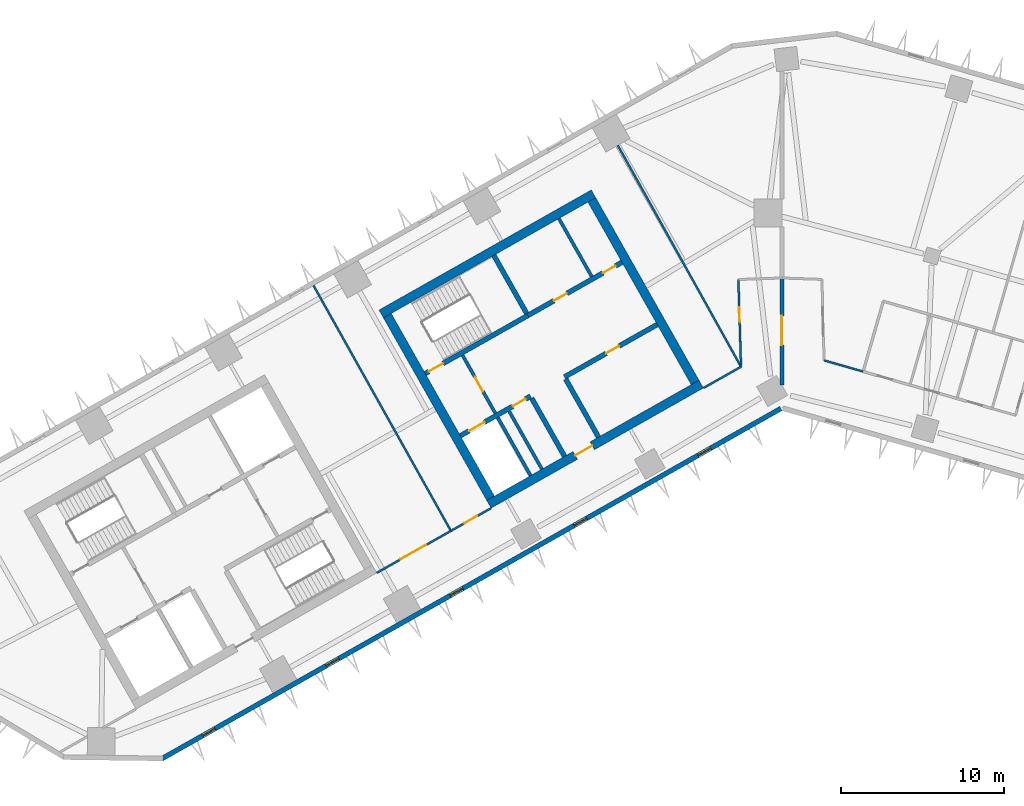
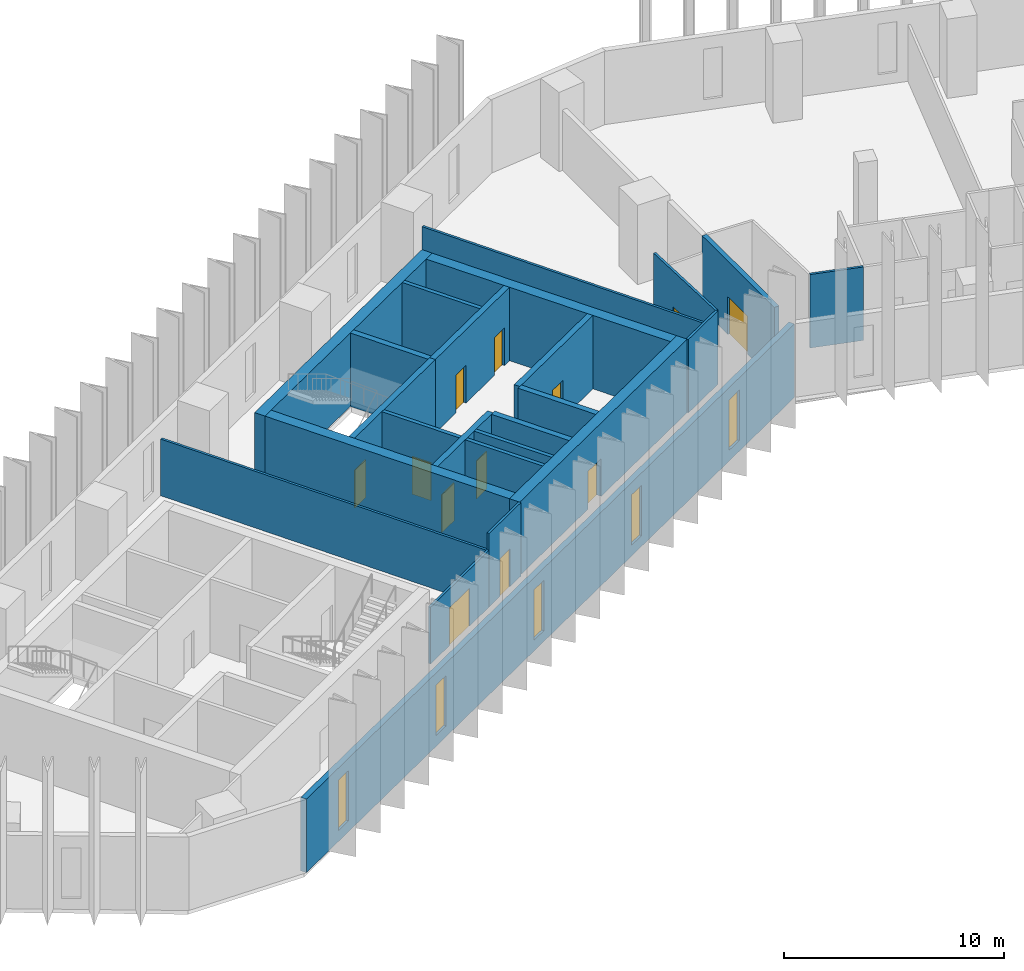
# One storey, part 4 of 11: 24 walls, 12 doors, 5 windows, 17 openings.
"""IFC4 building model written with IfcOpenShell, lengths in metres."""

import ifcopenshell
import ifcopenshell.guid

model = None  # the IFC model being written
_history = None  # IfcOwnerHistory: only IFC2X3 demands one
_inside = {}  # id of a spatial element -> (the spatial element, [elements in it])
_under = {}  # id of a project, library or spatial element -> (it, [spatial elements below it])
_declared = {}  # id of a project -> (the project, [libraries it declares])
_typed = {}  # id of a type object -> (the type object, [elements of that type])
_made_of = {}  # id of a material, layer set ... -> (it, [elements and type objects made of it])


def new_model(schema):
    """Start an empty IFC model of exactly this schema.

    Asked for "IFC4X3", IfcOpenShell would pick the latest addendum, in which some entities
    have other attributes; the version numbers below select the first issue.
    IFC2X3 requires an IfcOwnerHistory on every rooted entity: one is made here for all.
    """
    global model, _history
    if schema == "IFC4X3":
        model = ifcopenshell.file(schema_version=(4, 3, 0, 0))
    else:
        model = ifcopenshell.file(schema=schema)
    _inside.clear()
    _under.clear()
    _declared.clear()
    _typed.clear()
    _made_of.clear()
    _history = None
    if model.schema == "IFC2X3":
        org = make("IfcOrganization", Name="unknown")
        user = make(
            "IfcPersonAndOrganization",
            ThePerson=make("IfcPerson", FamilyName="unknown"),
            TheOrganization=org,
        )
        app = make(
            "IfcApplication",
            ApplicationDeveloper=org,
            Version="unknown",
            ApplicationFullName="unknown",
            ApplicationIdentifier="unknown",
        )
        _history = make(
            "IfcOwnerHistory",
            OwningUser=user,
            OwningApplication=app,
            ChangeAction="ADDED",
            CreationDate=0,
        )
    return model


def make(cls, **values):
    """One entity of the class cls with the attributes given. An attribute that is None is left unset."""
    return model.create_entity(
        cls, **{name: value for name, value in values.items() if value is not None}
    )


def rooted(cls, **values):
    """An entity with a GlobalId (a new one), such as an element, a storey or a relation."""
    return make(cls, GlobalId=ifcopenshell.guid.new(), OwnerHistory=_history, **values)


def si_unit(unit_type, name, prefix=None):
    """IfcSIUnit, for example si_unit("LENGTHUNIT", "METRE", prefix="MILLI")."""
    return make("IfcSIUnit", UnitType=unit_type, Prefix=prefix, Name=name)


def assignment(units):
    """IfcUnitAssignment: the units of a project."""
    return None if units is None else make("IfcUnitAssignment", Units=units)


def point(xyz):
    """IfcCartesianPoint."""
    return None if xyz is None else make("IfcCartesianPoint", Coordinates=xyz)


def direction(xyz):
    """IfcDirection."""
    return None if xyz is None else make("IfcDirection", DirectionRatios=xyz)


def frame(location, z_axis=None, x_axis=None):
    """IfcAxis2Placement3D, a coordinate frame: its origin and axes. An axis left out is left unset."""
    return make(
        "IfcAxis2Placement3D",
        Location=point(location),
        Axis=direction(z_axis),
        RefDirection=direction(x_axis),
    )


def frame_2d(location, x_axis=None):
    """IfcAxis2Placement2D, a coordinate frame in the plane: its origin and x axis."""
    return make(
        "IfcAxis2Placement2D", Location=point(location), RefDirection=direction(x_axis)
    )


def origin():
    """The frame at (0, 0, 0) with its axes left unset."""
    return frame((0.0, 0.0, 0.0))


def place(relative_to, where):
    """IfcLocalPlacement: puts the frame where relative to a parent placement (None: the world)."""
    return make(
        "IfcLocalPlacement", PlacementRelTo=relative_to, RelativePlacement=where
    )


def context(
    kind, dimensions, precision=None, world=None, true_north=None, identifier=None
):
    """IfcGeometricRepresentationContext, for example the 3D "Model" context."""
    return make(
        "IfcGeometricRepresentationContext",
        ContextIdentifier=identifier,
        ContextType=kind,
        CoordinateSpaceDimension=dimensions,
        Precision=precision,
        WorldCoordinateSystem=world,
        TrueNorth=true_north,
    )


def subcontext(parent, identifier, kind, view, scale=None):
    """IfcGeometricRepresentationSubContext, for example "Body" below "Model"."""
    return make(
        "IfcGeometricRepresentationSubContext",
        ContextIdentifier=identifier,
        ContextType=kind,
        ParentContext=parent,
        TargetScale=scale,
        TargetView=view,
    )


def project(units=None, contexts=None):
    """IfcProject with its units and contexts."""
    return rooted(
        "IfcProject",
        Name="project",
        RepresentationContexts=contexts,
        UnitsInContext=assignment(units),
    )


def spatial(cls, under=None, at=None, **own):
    """A site, building, storey or space (cls), placed at a placement, below another one or the project."""
    s = rooted(cls, ObjectPlacement=at, **own)
    if under is not None:
        _under.setdefault(under.id(), (under, []))[1].append(s)
    return s


def profile(cls, at=None, kind="AREA", **sizes):
    """A parametric profile (cls). Its sizes go by their IFC names, for example OverallWidth=200.0."""
    return make(cls, ProfileType=kind, Position=at, **sizes)


def rectangle(**sizes):
    """IfcRectangleProfileDef."""
    return profile("IfcRectangleProfileDef", **sizes)


def extrude(swept, where, along, depth):
    """IfcExtrudedAreaSolid: the profile swept, set in the frame where, extruded along a direction by depth."""
    return make(
        "IfcExtrudedAreaSolid",
        SweptArea=swept,
        Position=where,
        ExtrudedDirection=direction(along),
        Depth=depth,
    )


def shape(context_of_items, identifier, shape_type, items):
    """IfcShapeRepresentation: the items that make up one representation, for example the "Body"."""
    return make(
        "IfcShapeRepresentation",
        ContextOfItems=context_of_items,
        RepresentationIdentifier=identifier,
        RepresentationType=shape_type,
        Items=items,
    )


def material(Name=None, Category=None):
    """IfcMaterial."""
    return make("IfcMaterial", Name=Name, Category=Category)


def layer(
    of_material, thickness, ventilated=None, Name=None, Category=None, Priority=None
):
    """IfcMaterialLayer: one layer of a wall or slab, of a material (None: an air gap)."""
    return make(
        "IfcMaterialLayer",
        Material=of_material,
        LayerThickness=thickness,
        IsVentilated=ventilated,
        Name=Name,
        Category=Category,
        Priority=Priority,
    )


def layer_set(layers, Name=None):
    """IfcMaterialLayerSet."""
    return make("IfcMaterialLayerSet", MaterialLayers=layers, LayerSetName=Name)


def made_of(thing, what):
    """Note that an element or type object is made of a material, layer set ...; save() writes the relation."""
    if what is not None:
        _made_of.setdefault(what.id(), (what, []))[1].append(thing)
    return thing


def type_object(cls, material=None, **own):
    """A type object (cls), such as IfcWallType, which elements share."""
    return made_of(rooted(cls, **own), material)


def element(
    cls,
    number,
    at=None,
    inside=None,
    cuts=None,
    type_object=None,
    material=None,
    context=None,
    identifier="Body",
    shape_type=None,
    held_by="IfcProductDefinitionShape",
    body=None,
    shapes=None,
    **own,
):
    """One element of the class cls, such as IfcWall. Its Tag is "e" and its number.

    at: its placement. inside: the storey or other place that contains it. cuts: it is an
    opening in that element (IfcRelVoidsElement). A single representation is given by context,
    identifier, shape_type and body (its items); several are given by shapes. held_by: the class
    of the entity that holds the representations. save() writes the other relations.
    """
    e = rooted(cls, Tag="e%d" % number, ObjectPlacement=at, **own)
    if body is not None:
        shapes = [shape(context, identifier, shape_type, body)]
    if shapes is not None:
        e.Representation = make(held_by, Representations=shapes)
    if inside is not None:
        _inside.setdefault(inside.id(), (inside, []))[1].append(e)
    if cuts is not None:
        rooted(
            "IfcRelVoidsElement", RelatingBuildingElement=cuts, RelatedOpeningElement=e
        )
    if type_object is not None:
        _typed.setdefault(type_object.id(), (type_object, []))[1].append(e)
    return made_of(e, material)


def fill(opening, filler):
    """IfcRelFillsElement: the door or window that sits in an opening."""
    return rooted(
        "IfcRelFillsElement",
        RelatingOpeningElement=opening,
        RelatedBuildingElement=filler,
    )


def aggregate(whole, parts):
    """IfcRelAggregates: a whole, such as a stair, and the parts it consists of."""
    return rooted("IfcRelAggregates", RelatingObject=whole, RelatedObjects=parts)


def save(model, path):
    """Write the relations noted so far, then the file.

    IfcRelAggregates (storeys below a building ...), IfcRelContainedInSpatialStructure (elements
    in a storey), IfcRelDefinesByType, IfcRelAssociatesMaterial and IfcRelDeclares: one each for
    every whole, place, type object, material and project.
    """
    for whole, parts in _under.values():
        aggregate(whole, parts)
    for where, things in _inside.values():
        rooted(
            "IfcRelContainedInSpatialStructure",
            RelatedElements=things,
            RelatingStructure=where,
        )
    for kind, things in _typed.values():
        rooted("IfcRelDefinesByType", RelatedObjects=things, RelatingType=kind)
    for what, things in _made_of.values():
        rooted("IfcRelAssociatesMaterial", RelatedObjects=things, RelatingMaterial=what)
    for by, libraries in _declared.values():
        rooted("IfcRelDeclares", RelatingContext=by, RelatedDefinitions=libraries)
    model.write(path)


model = new_model("IFC4")

# Units and contexts
model_context = context("Model", 3, precision=1e-05, world=origin(), true_north=direction((0.0, 1.0)))
body_context = subcontext(model_context, "Body", "Model", "MODEL_VIEW")
ifc_project = project(units=[si_unit("LENGTHUNIT", "METRE"), si_unit("AREAUNIT", "SQUARE_METRE"), si_unit("VOLUMEUNIT", "CUBIC_METRE"), si_unit("PLANEANGLEUNIT", "RADIAN"), si_unit("MASSUNIT", "GRAM", prefix="KILO")], contexts=[model_context])

# Site, building, storey
site_placement = place(None, origin())
site = spatial("IfcSite", under=ifc_project, at=site_placement, CompositionType="ELEMENT")
building_placement = place(site_placement, origin())
building = spatial("IfcBuilding", under=site, at=building_placement, Name="Binnacle Exchange Tower", CompositionType="ELEMENT")
storey_placement = place(building_placement, frame((0.0, 0.0, 97.10009765625)))
storey = spatial("IfcBuildingStorey", under=building, at=storey_placement, Name="L19", CompositionType="ELEMENT", Elevation=97.10009765625)

# Wall
ifc_material_1 = material(Name="Gypsum partition fire rated")
ifc_layer_1 = layer(ifc_material_1, 0.199951171875)
ifc_layer_set_1 = layer_set([ifc_layer_1], Name="Core partition 200")
wall_type_1 = type_object("IfcWallType", Name="Core partition 200", PredefinedType="PARTITIONING", material=ifc_layer_set_1)
wall_1_placement = place(storey_placement, frame((-13.70751953125, 59.655517578125, 0.0), z_axis=(0.0, 0.0, 1.0), x_axis=(0.492428039142, -0.870353161807, 0.0)))
element("IfcWall", 1, at=wall_1_placement, inside=storey, type_object=wall_type_1, Name="Core wall CRWC20", PredefinedType="PARTITIONING", context=body_context, shape_type="SweptSolid", body=[
    extrude(rectangle(XDim=4.10009765625, YDim=0.199951171875, at=frame_2d((2.050048828125, 0.0))), origin(), (0.0, 0.0, 1.0), 4.079833984375),
])

# Wall, openings, doors
ifc_material_2 = material(Name="Concrete C70/85", Category="concrete")
ifc_layer_2 = layer(ifc_material_2, 0.300048828125)
ifc_layer_set_2 = layer_set([ifc_layer_2], Name="Core wall - front 300")
wall_type_2 = type_object("IfcWallType", Name="Core wall - front 300", PredefinedType="SOLIDWALL", material=ifc_layer_set_2)
wall_2_placement = place(storey_placement, frame((-19.76171875, 46.291748046875, 0.0), z_axis=(0.0, 0.0, 1.0), x_axis=(0.870359758983, 0.49241637863, 0.0)))
wall_2 = element("IfcWall", 2, at=wall_2_placement, inside=storey, type_object=wall_type_2, Name="Core wall CRWC2", PredefinedType="SOLIDWALL", context=body_context, shape_type="SweptSolid", body=[
    extrude(rectangle(XDim=4.9501953125, YDim=0.300048828125, at=frame_2d((2.47509765625, 0.0))), origin(), (0.0, 0.0, 1.0), 4.079833984375),
])
opening_1_placement = place(wall_2_placement, frame((0.60009765625, 0.0, 0.0)))
opening_1 = element("IfcOpeningElement", 3, at=opening_1_placement, cuts=wall_2, Name="Opening LD14", PredefinedType="OPENING", context=body_context, shape_type="SweptSolid", body=[
    extrude(rectangle(XDim=1.10009765625, YDim=2.10009765625, at=frame_2d((0.550048828125, 1.050048828125))), frame((0.0, 0.159912109375, 0.0), z_axis=(0.0, -1.0, 0.0), x_axis=(1.0, 0.0, 0.0)), (0.0, 0.0, 1.0), 0.320068359375),
])
opening_2_placement = place(wall_2_placement, frame((3.699951171875, 0.0, 0.0)))
opening_2 = element("IfcOpeningElement", 4, at=opening_2_placement, cuts=wall_2, Name="Opening DC14", PredefinedType="OPENING", context=body_context, shape_type="SweptSolid", body=[
    extrude(rectangle(XDim=0.89990234375, YDim=2.10009765625, at=frame_2d((0.449951171875, 1.050048828125))), frame((0.0, 0.159912109375, 0.0), z_axis=(0.0, -1.0, 0.0), x_axis=(1.0, 0.0, 0.0)), (0.0, 0.0, 1.0), 0.320068359375),
])
ifc_material_3 = material(Name="Steel door leaf", Category="steel")
door_type_1 = type_object("IfcDoorType", Name="Fire door - lift landing 1100", OperationType="NOTDEFINED", PredefinedType="DOOR", material=ifc_material_3)
door_1_placement = place(opening_1_placement, origin())
door_1 = element("IfcDoor", 5, at=door_1_placement, inside=storey, type_object=door_type_1, Name="Landing door LD14 L19", OperationType="DOUBLE_DOOR_SLIDING", OverallHeight=2.10009765625, OverallWidth=1.10009765625, PredefinedType="DOOR", context=body_context, shape_type="SweptSolid", body=[
    extrude(rectangle(XDim=1.10009765625, YDim=2.10009765625, at=frame_2d((0.550048828125, 1.050048828125))), frame((0.0, 0.02490234375, 0.0), z_axis=(0.0, -1.0, 0.0), x_axis=(1.0, 0.0, 0.0)), (0.0, 0.0, 1.0), 0.050048828125),
])
fill(opening_1, door_1)
door_type_2 = type_object("IfcDoorType", Name="Fire door 900", OperationType="NOTDEFINED", PredefinedType="DOOR", material=ifc_material_3)
door_2_placement = place(opening_2_placement, frame((0.89990234375, 0.0, 0.0), z_axis=(0.0, 0.0, 1.0), x_axis=(-1.0, 0.0, 0.0)))
door_2 = element("IfcDoor", 6, at=door_2_placement, inside=storey, type_object=door_type_2, Name="Core room door IT STORE", OperationType="SINGLE_SWING_LEFT", OverallHeight=2.10009765625, OverallWidth=0.89990234375, PredefinedType="DOOR", context=body_context, shape_type="SweptSolid", body=[
    extrude(rectangle(XDim=0.89990234375, YDim=2.10009765625, at=frame_2d((0.449951171875, 1.050048828125))), frame((0.0, 0.02490234375, 0.0), z_axis=(0.0, -1.0, 0.0), x_axis=(1.0, 0.0, 0.0)), (0.0, 0.0, 1.0), 0.050048828125),
])
fill(opening_2, door_2)

# Wall, opening, door
wall_3_placement = place(storey_placement, frame((-13.364501953125, 49.910888671875, 0.0), z_axis=(0.0, 0.0, 1.0), x_axis=(0.870336435567, 0.492457601144, 0.0)))
wall_3 = element("IfcWall", 7, at=wall_3_placement, inside=storey, type_object=wall_type_2, Name="Core wall CRWC3", PredefinedType="SOLIDWALL", context=body_context, shape_type="SweptSolid", body=[
    extrude(rectangle(XDim=6.550048828125, YDim=0.300048828125, at=frame_2d((3.27490234375, 0.0))), origin(), (0.0, 0.0, 1.0), 4.079833984375),
])
opening_3_placement = place(wall_3_placement, frame((2.949951171875, 0.0, 0.0)))
opening_3 = element("IfcOpeningElement", 8, at=opening_3_placement, cuts=wall_3, Name="Opening DC18", PredefinedType="OPENING", context=body_context, shape_type="SweptSolid", body=[
    extrude(rectangle(XDim=0.89990234375, YDim=2.10009765625, at=frame_2d((0.449951171875, 1.050048828125))), frame((0.0, 0.159912109375, 0.0), z_axis=(0.0, -1.0, 0.0), x_axis=(1.0, 0.0, 0.0)), (0.0, 0.0, 1.0), 0.320068359375),
])
door_3_placement = place(opening_3_placement, frame((0.89990234375, 0.0, 0.0), z_axis=(0.0, 0.0, 1.0), x_axis=(-1.0, 0.0, 0.0)))
door_3 = element("IfcDoor", 9, at=door_3_placement, inside=storey, type_object=door_type_2, Name="Core room door STAFF PANTRY AND STORE", OperationType="SINGLE_SWING_LEFT", OverallHeight=2.10009765625, OverallWidth=0.89990234375, PredefinedType="DOOR", context=body_context, shape_type="SweptSolid", body=[
    extrude(rectangle(XDim=0.89990234375, YDim=2.10009765625, at=frame_2d((0.449951171875, 1.050048828125))), frame((0.0, 0.02490234375, 0.0), z_axis=(0.0, -1.0, 0.0), x_axis=(1.0, 0.0, 0.0)), (0.0, 0.0, 1.0), 0.050048828125),
])
fill(opening_3, door_3)

# Wall, openings, doors
wall_4_placement = place(storey_placement, frame((-15.6181640625, 53.69140625, 0.0), z_axis=(0.0, 0.0, 1.0), x_axis=(0.870367894134, 0.492401999246, 0.0)))
wall_4 = element("IfcWall", 10, at=wall_4_placement, inside=storey, type_object=wall_type_2, Name="Core wall CRWC5", PredefinedType="SOLIDWALL", context=body_context, shape_type="SweptSolid", body=[
    extrude(rectangle(XDim=6.64990234375, YDim=0.300048828125, at=frame_2d((3.324951171875, 0.0))), origin(), (0.0, 0.0, 1.0), 4.079833984375),
])
opening_4_placement = place(wall_4_placement, frame((1.85009765625, 0.0, 0.0)))
opening_4 = element("IfcOpeningElement", 11, at=opening_4_placement, cuts=wall_4, Name="Opening DC10", PredefinedType="OPENING", context=body_context, shape_type="SweptSolid", body=[
    extrude(rectangle(XDim=0.89990234375, YDim=2.10009765625, at=frame_2d((0.449951171875, 1.050048828125))), frame((0.0, 0.159912109375, 0.0), z_axis=(0.0, -1.0, 0.0), x_axis=(1.0, 0.0, 0.0)), (0.0, 0.0, 1.0), 0.320068359375),
])
opening_5_placement = place(wall_4_placement, frame((5.300048828125, 0.0, 0.0)))
opening_5 = element("IfcOpeningElement", 12, at=opening_5_placement, cuts=wall_4, Name="Opening DC11", PredefinedType="OPENING", context=body_context, shape_type="SweptSolid", body=[
    extrude(rectangle(XDim=0.89990234375, YDim=2.10009765625, at=frame_2d((0.449951171875, 1.050048828125))), frame((0.0, 0.159912109375, 0.0), z_axis=(0.0, -1.0, 0.0), x_axis=(1.0, 0.0, 0.0)), (0.0, 0.0, 1.0), 0.320068359375),
])
door_4_placement = place(opening_4_placement, origin())
door_4 = element("IfcDoor", 13, at=door_4_placement, inside=storey, type_object=door_type_2, Name="Core room door TELECOM RISER ROOM", OperationType="SINGLE_SWING_LEFT", OverallHeight=2.10009765625, OverallWidth=0.89990234375, PredefinedType="DOOR", context=body_context, shape_type="SweptSolid", body=[
    extrude(rectangle(XDim=0.89990234375, YDim=2.10009765625, at=frame_2d((0.449951171875, 1.050048828125))), frame((0.0, 0.02490234375, 0.0), z_axis=(0.0, -1.0, 0.0), x_axis=(1.0, 0.0, 0.0)), (0.0, 0.0, 1.0), 0.050048828125),
])
fill(opening_4, door_4)
door_5_placement = place(opening_5_placement, origin())
door_5 = element("IfcDoor", 14, at=door_5_placement, inside=storey, type_object=door_type_2, Name="Core room door IT STORE", OperationType="SINGLE_SWING_RIGHT", OverallHeight=2.10009765625, OverallWidth=0.89990234375, PredefinedType="DOOR", context=body_context, shape_type="SweptSolid", body=[
    extrude(rectangle(XDim=0.89990234375, YDim=2.10009765625, at=frame_2d((0.449951171875, 1.050048828125))), frame((0.0, 0.02490234375, 0.0), z_axis=(0.0, -1.0, 0.0), x_axis=(1.0, 0.0, 0.0)), (0.0, 0.0, 1.0), 0.050048828125),
])
fill(opening_5, door_5)

# Walls
wall_5_placement = place(storey_placement, frame((-15.37939453125, 48.5986328125, 0.0), z_axis=(0.0, 0.0, 1.0), x_axis=(0.492408451753, -0.87036424366, 0.0)))
element("IfcWall", 15, at=wall_5_placement, inside=storey, type_object=wall_type_2, Name="Core wall CRWC13", PredefinedType="SOLIDWALL", context=body_context, shape_type="SweptSolid", body=[
    extrude(rectangle(XDim=4.099853515625, YDim=0.300048828125, at=frame_2d((2.0498046875, 0.0))), origin(), (0.0, 0.0, 1.0), 4.079833984375),
])
wall_6_placement = place(storey_placement, frame((-13.29052734375, 49.780517578125, 0.0), z_axis=(0.0, 0.0, 1.0), x_axis=(0.492382931784, -0.870378681085, 0.0)))
element("IfcWall", 16, at=wall_6_placement, inside=storey, type_object=wall_type_2, Name="Core wall CRWC15", PredefinedType="SOLIDWALL", context=body_context, shape_type="SweptSolid", body=[
    extrude(rectangle(XDim=4.10009765625, YDim=0.300048828125, at=frame_2d((2.050048828125, 0.0))), origin(), (0.0, 0.0, 1.0), 4.079833984375),
])

# Wall, opening, door
ifc_layer_3 = layer(ifc_material_2, 0.550048828125)
ifc_layer_set_3 = layer_set([ifc_layer_3], Name="Core wall - outer 550")
wall_type_3 = type_object("IfcWallType", Name="Core wall - outer 550", PredefinedType="SOLIDWALL", material=ifc_layer_set_3)
wall_7_placement = place(storey_placement, frame((-18.01220703125, 42.08251953125, 0.0), z_axis=(0.0, 0.0, 1.0), x_axis=(0.870360574057, 0.492414937962, 0.0)))
wall_7 = element("IfcWall", 17, at=wall_7_placement, inside=storey, type_object=wall_type_3, Name="Core wall CRWC1", PredefinedType="SOLIDWALL", context=body_context, shape_type="SweptSolid", body=[
    extrude(rectangle(XDim=15.0, YDim=0.550048828125, at=frame_2d((7.5, 0.0))), origin(), (0.0, 0.0, 1.0), 4.079833984375),
])
opening_6_placement = place(wall_7_placement, frame((6.10009765625, 0.0, 0.0)))
opening_6 = element("IfcOpeningElement", 18, at=opening_6_placement, cuts=wall_7, Name="Opening DC7", PredefinedType="OPENING", context=body_context, shape_type="SweptSolid", body=[
    extrude(rectangle(XDim=1.199951171875, YDim=2.10009765625, at=frame_2d((0.60009765625, 1.050048828125))), frame((0.0, 0.284912109375, 0.0), z_axis=(0.0, -1.0, 0.0), x_axis=(1.0, 0.0, 0.0)), (0.0, 0.0, 1.0), 0.570068359375),
])
door_type_3 = type_object("IfcDoorType", Name="Fire door 1200", OperationType="NOTDEFINED", PredefinedType="DOOR", material=ifc_material_3)
door_6_placement = place(opening_6_placement, frame((1.199951171875, 0.0, 0.0), z_axis=(0.0, 0.0, 1.0), x_axis=(-1.0, 0.0, 0.0)))
door_6 = element("IfcDoor", 19, at=door_6_placement, inside=storey, type_object=door_type_3, Name="Lift lobby entrance door core C", OperationType="SINGLE_SWING_RIGHT", OverallHeight=2.10009765625, OverallWidth=1.199951171875, PredefinedType="DOOR", context=body_context, shape_type="SweptSolid", body=[
    extrude(rectangle(XDim=1.199951171875, YDim=2.10009765625, at=frame_2d((0.60009765625, 1.050048828125))), frame((0.0, 0.02490234375, 0.0), z_axis=(0.0, -1.0, 0.0), x_axis=(1.0, 0.0, 0.0)), (0.0, 0.0, 1.0), 0.050048828125),
])
fill(opening_6, door_6)

# Walls
wall_8_placement = place(storey_placement, frame((-24.63525390625, 53.788818359375, 0.0), z_axis=(0.0, 0.0, 1.0), x_axis=(0.870360574057, 0.492414937962, 0.0)))
element("IfcWall", 20, at=wall_8_placement, inside=storey, type_object=wall_type_3, Name="Core wall CRWC6", PredefinedType="SOLIDWALL", context=body_context, shape_type="SweptSolid", body=[
    extrude(rectangle(XDim=15.0, YDim=0.550048828125, at=frame_2d((7.5, 0.0))), origin(), (0.0, 0.0, 1.0), 4.079833984375),
])
for number, where, z_axis, x_axis, name in (
    (21, (-24.260498046875, 53.684814453125, 0.0), (0.0, 0.0, 1.0), (0.492427022044, -0.870353737259, 0.0), "Core wall CRWC7"),
    (22, (-11.683837890625, 60.80029296875, 0.0), (0.0, 0.0, 1.0), (0.492427022044, -0.870353737259, 0.0), "Core wall CRWC24"),
):
    element("IfcWall", number, at=place(storey_placement, frame(where, z_axis=z_axis, x_axis=x_axis)), inside=storey, type_object=wall_type_3, Name=name, PredefinedType="SOLIDWALL", context=body_context, shape_type="SweptSolid", body=[
        extrude(rectangle(XDim=12.89990234375, YDim=0.550048828125, at=frame_2d((6.449951171875, 0.0))), origin(), (0.0, 0.0, 1.0), 4.079833984375),
    ])

# Wall, opening, door
ifc_layer_4 = layer(ifc_material_2, 0.300048828125)
ifc_layer_set_4 = layer_set([ifc_layer_4], Name="Core wall - stair 300")
wall_type_4 = type_object("IfcWallType", Name="Core wall - stair 300", PredefinedType="SOLIDWALL", material=ifc_layer_set_4)
wall_9_placement = place(storey_placement, frame((-21.92822265625, 50.12109375, 0.0), z_axis=(0.0, 0.0, 1.0), x_axis=(0.870340732628, 0.49245000673, 0.0)))
wall_9 = element("IfcWall", 23, at=wall_9_placement, inside=storey, type_object=wall_type_4, Name="Core wall CRWC4", PredefinedType="SOLIDWALL", context=body_context, shape_type="SweptSolid", body=[
    extrude(rectangle(XDim=7.25, YDim=0.300048828125, at=frame_2d((3.625, 0.0))), origin(), (0.0, 0.0, 1.0), 4.079833984375),
])
opening_7_placement = place(wall_9_placement, frame((0.25, 0.0, 0.0)))
opening_7 = element("IfcOpeningElement", 24, at=opening_7_placement, cuts=wall_9, Name="Opening DC1", PredefinedType="OPENING", context=body_context, shape_type="SweptSolid", body=[
    extrude(rectangle(XDim=1.0, YDim=2.10009765625, at=frame_2d((0.5, 1.050048828125))), frame((0.0, 0.159912109375, 0.0), z_axis=(0.0, -1.0, 0.0), x_axis=(1.0, 0.0, 0.0)), (0.0, 0.0, 1.0), 0.320068359375),
])
door_type_4 = type_object("IfcDoorType", Name="Fire door 1000", OperationType="NOTDEFINED", PredefinedType="DOOR", material=ifc_material_3)
door_7_placement = place(opening_7_placement, origin())
door_7 = element("IfcDoor", 25, at=door_7_placement, inside=storey, type_object=door_type_4, Name="Stair door ST-C1", OperationType="SINGLE_SWING_LEFT", OverallHeight=2.10009765625, OverallWidth=1.0, PredefinedType="DOOR", context=body_context, shape_type="SweptSolid", body=[
    extrude(rectangle(XDim=1.0, YDim=2.10009765625, at=frame_2d((0.5, 1.050048828125))), frame((0.0, 0.02490234375, 0.0), z_axis=(0.0, -1.0, 0.0), x_axis=(1.0, 0.0, 0.0)), (0.0, 0.0, 1.0), 0.050048828125),
])
fill(opening_7, door_7)

# Wall
wall_10_placement = place(storey_placement, frame((-17.7109375, 57.390380859375, 0.0), z_axis=(0.0, 0.0, 1.0), x_axis=(0.492408451753, -0.87036424366, 0.0)))
element("IfcWall", 26, at=wall_10_placement, inside=storey, type_object=wall_type_4, Name="Core wall CRWC14", PredefinedType="SOLIDWALL", context=body_context, shape_type="SweptSolid", body=[
    extrude(rectangle(XDim=4.099853515625, YDim=0.300048828125, at=frame_2d((2.0498046875, 0.0))), origin(), (0.0, 0.0, 1.0), 4.079833984375),
])

# Wall, openings, windows
ifc_material_4 = material(Name="Bronze aluminium cladding", Category="aluminium")
ifc_layer_5 = layer(ifc_material_4, 0.300048828125)
ifc_layer_set_5 = layer_set([ifc_layer_5], Name="External wall - spandrel 300")
wall_type_5 = type_object("IfcWallType", Name="External wall - spandrel 300", PredefinedType="STANDARD", material=ifc_layer_set_5)
wall_11_placement = place(storey_placement, frame((-0.0546875, 47.968994140625, 0.0), z_axis=(0.0, 0.0, 1.0), x_axis=(-0.870355730478, -0.492423499058, 0.0)))
wall_11 = element("IfcWall", 27, at=wall_11_placement, inside=storey, type_object=wall_type_5, Name="External wall EW-F07 L19", PredefinedType="STANDARD", context=body_context, shape_type="SweptSolid", body=[
    extrude(rectangle(XDim=43.750244140625, YDim=0.300048828125, at=frame_2d((21.875, 0.0))), origin(), (0.0, 0.0, 1.0), 4.079833984375),
])
opening_8_placement = place(wall_11_placement, frame((39.976806640625, 0.0, 0.60009765625)))
opening_8 = element("IfcOpeningElement", 28, at=opening_8_placement, cuts=wall_11, Name="Opening WS2", PredefinedType="OPENING", context=body_context, shape_type="SweptSolid", body=[
    extrude(rectangle(XDim=0.89990234375, YDim=2.800048828125, at=frame_2d((0.449951171875, 1.39990234375))), frame((0.0, 0.159912109375, 0.0), z_axis=(0.0, -1.0, 0.0), x_axis=(1.0, 0.0, 0.0)), (0.0, 0.0, 1.0), 0.320068359375),
])
opening_9_placement = place(wall_11_placement, frame((31.222412109375, 0.0, 0.60009765625)))
opening_9 = element("IfcOpeningElement", 29, at=opening_9_placement, cuts=wall_11, Name="Opening WS2", PredefinedType="OPENING", context=body_context, shape_type="SweptSolid", body=[
    extrude(rectangle(XDim=0.89990234375, YDim=2.800048828125, at=frame_2d((0.449951171875, 1.39990234375))), frame((0.0, 0.159912109375, 0.0), z_axis=(0.0, -1.0, 0.0), x_axis=(1.0, 0.0, 0.0)), (0.0, 0.0, 1.0), 0.320068359375),
])
opening_10_placement = place(wall_11_placement, frame((22.4677734375, 0.0, 0.60009765625)))
opening_10 = element("IfcOpeningElement", 30, at=opening_10_placement, cuts=wall_11, Name="Opening WS2", PredefinedType="OPENING", context=body_context, shape_type="SweptSolid", body=[
    extrude(rectangle(XDim=0.89990234375, YDim=2.800048828125, at=frame_2d((0.449951171875, 1.39990234375))), frame((0.0, 0.159912109375, 0.0), z_axis=(0.0, -1.0, 0.0), x_axis=(1.0, 0.0, 0.0)), (0.0, 0.0, 1.0), 0.320068359375),
])
opening_11_placement = place(wall_11_placement, frame((13.713134765625, 0.0, 0.60009765625)))
opening_11 = element("IfcOpeningElement", 31, at=opening_11_placement, cuts=wall_11, Name="Opening WS2", PredefinedType="OPENING", context=body_context, shape_type="SweptSolid", body=[
    extrude(rectangle(XDim=0.89990234375, YDim=2.800048828125, at=frame_2d((0.449951171875, 1.39990234375))), frame((0.0, 0.159912109375, 0.0), z_axis=(0.0, -1.0, 0.0), x_axis=(1.0, 0.0, 0.0)), (0.0, 0.0, 1.0), 0.320068359375),
])
opening_12_placement = place(wall_11_placement, frame((4.958740234375, 0.0, 0.60009765625)))
opening_12 = element("IfcOpeningElement", 32, at=opening_12_placement, cuts=wall_11, Name="Opening WS2", PredefinedType="OPENING", context=body_context, shape_type="SweptSolid", body=[
    extrude(rectangle(XDim=0.89990234375, YDim=2.800048828125, at=frame_2d((0.449951171875, 1.39990234375))), frame((0.0, 0.159912109375, 0.0), z_axis=(0.0, -1.0, 0.0), x_axis=(1.0, 0.0, 0.0)), (0.0, 0.0, 1.0), 0.320068359375),
])
ifc_material_5 = material(Name="Bronze anodised aluminium frame", Category="aluminium")
window_type = type_object("IfcWindowType", Name="WS2 WINDOW 900x2800", PartitioningType="SINGLE_PANEL", PredefinedType="WINDOW", material=ifc_material_5)
window_1_placement = place(opening_8_placement, origin())
window_1 = element("IfcWindow", 33, at=window_1_placement, inside=storey, type_object=window_type, Name="Window WS2 L19", OverallHeight=2.800048828125, OverallWidth=0.89990234375, PartitioningType="SINGLE_PANEL", PredefinedType="WINDOW", context=body_context, shape_type="SweptSolid", body=[
    extrude(rectangle(XDim=0.89990234375, YDim=2.800048828125, at=frame_2d((0.449951171875, 1.39990234375))), frame((0.0, 0.030029296875, 0.0), z_axis=(0.0, -1.0, 0.0), x_axis=(1.0, 0.0, 0.0)), (0.0, 0.0, 1.0), 0.06005859375),
])
fill(opening_8, window_1)
window_2_placement = place(opening_9_placement, origin())
window_2 = element("IfcWindow", 34, at=window_2_placement, inside=storey, type_object=window_type, Name="Window WS2 L19", OverallHeight=2.800048828125, OverallWidth=0.89990234375, PartitioningType="SINGLE_PANEL", PredefinedType="WINDOW", context=body_context, shape_type="SweptSolid", body=[
    extrude(rectangle(XDim=0.89990234375, YDim=2.800048828125, at=frame_2d((0.449951171875, 1.39990234375))), frame((0.0, 0.030029296875, 0.0), z_axis=(0.0, -1.0, 0.0), x_axis=(1.0, 0.0, 0.0)), (0.0, 0.0, 1.0), 0.06005859375),
])
fill(opening_9, window_2)
window_3_placement = place(opening_10_placement, origin())
window_3 = element("IfcWindow", 35, at=window_3_placement, inside=storey, type_object=window_type, Name="Window WS2 L19", OverallHeight=2.800048828125, OverallWidth=0.89990234375, PartitioningType="SINGLE_PANEL", PredefinedType="WINDOW", context=body_context, shape_type="SweptSolid", body=[
    extrude(rectangle(XDim=0.89990234375, YDim=2.800048828125, at=frame_2d((0.449951171875, 1.39990234375))), frame((0.0, 0.030029296875, 0.0), z_axis=(0.0, -1.0, 0.0), x_axis=(1.0, 0.0, 0.0)), (0.0, 0.0, 1.0), 0.06005859375),
])
fill(opening_10, window_3)
window_4_placement = place(opening_11_placement, origin())
window_4 = element("IfcWindow", 36, at=window_4_placement, inside=storey, type_object=window_type, Name="Window WS2 L19", OverallHeight=2.800048828125, OverallWidth=0.89990234375, PartitioningType="SINGLE_PANEL", PredefinedType="WINDOW", context=body_context, shape_type="SweptSolid", body=[
    extrude(rectangle(XDim=0.89990234375, YDim=2.800048828125, at=frame_2d((0.449951171875, 1.39990234375))), frame((0.0, 0.030029296875, 0.0), z_axis=(0.0, -1.0, 0.0), x_axis=(1.0, 0.0, 0.0)), (0.0, 0.0, 1.0), 0.06005859375),
])
fill(opening_11, window_4)
window_5_placement = place(opening_12_placement, origin())
window_5 = element("IfcWindow", 37, at=window_5_placement, inside=storey, type_object=window_type, Name="Window WS2 L19", OverallHeight=2.800048828125, OverallWidth=0.89990234375, PartitioningType="SINGLE_PANEL", PredefinedType="WINDOW", context=body_context, shape_type="SweptSolid", body=[
    extrude(rectangle(XDim=0.89990234375, YDim=2.800048828125, at=frame_2d((0.449951171875, 1.39990234375))), frame((0.0, 0.030029296875, 0.0), z_axis=(0.0, -1.0, 0.0), x_axis=(1.0, 0.0, 0.0)), (0.0, 0.0, 1.0), 0.06005859375),
])
fill(opening_12, window_5)

# Wall, opening, door
ifc_material_6 = material(Name="Concrete fire wall C30/37", Category="concrete")
ifc_layer_6 = layer(ifc_material_6, 0.25)
ifc_layer_set_6 = layer_set([ifc_layer_6], Name="Fire wall - compartment 250")
wall_type_6 = type_object("IfcWallType", Name="Fire wall - compartment 250", PredefinedType="PARTITIONING", material=ifc_layer_set_6)
wall_12_placement = place(storey_placement, frame((0.0, 49.422119140625, 0.0), z_axis=(0.0, 0.0, 1.0), x_axis=(0.0, 1.0, 0.0)))
wall_12 = element("IfcWall", 38, at=wall_12_placement, inside=storey, type_object=wall_type_6, Name="Fire Wall W10", PredefinedType="PARTITIONING", context=body_context, shape_type="SweptSolid", body=[
    extrude(rectangle(XDim=6.577880859375, YDim=0.25, at=frame_2d((3.2890625, 0.0))), origin(), (0.0, 0.0, 1.0), 4.079833984375),
])
opening_13_placement = place(wall_12_placement, frame((2.449951171875, 0.0, 0.0)))
opening_13 = element("IfcOpeningElement", 39, at=opening_13_placement, cuts=wall_12, Name="Opening DL19-13", PredefinedType="OPENING", context=body_context, shape_type="SweptSolid", body=[
    extrude(rectangle(XDim=1.800048828125, YDim=2.10009765625, at=frame_2d((0.89990234375, 1.050048828125))), frame((0.0, 0.135009765625, 0.0), z_axis=(0.0, -1.0, 0.0), x_axis=(1.0, 0.0, 0.0)), (0.0, 0.0, 1.0), 0.27001953125),
])
door_type_5 = type_object("IfcDoorType", Name="Fire door 1800", OperationType="NOTDEFINED", PredefinedType="DOOR", material=ifc_material_3)
door_8_placement = place(opening_13_placement, origin())
door_8 = element("IfcDoor", 40, at=door_8_placement, inside=storey, type_object=door_type_5, Name="Door DL19-13", OperationType="DOUBLE_DOOR_SINGLE_SWING", OverallHeight=2.10009765625, OverallWidth=1.800048828125, PredefinedType="DOOR", context=body_context, shape_type="SweptSolid", body=[
    extrude(rectangle(XDim=1.800048828125, YDim=2.10009765625, at=frame_2d((0.89990234375, 1.050048828125))), frame((0.0, 0.02490234375, 0.0), z_axis=(0.0, -1.0, 0.0), x_axis=(1.0, 0.0, 0.0)), (0.0, 0.0, 1.0), 0.050048828125),
])
fill(opening_13, door_8)

ifc_material_7 = material(Name="Masonry block wall", Category="masonry")
ifc_layer_7 = layer(ifc_material_7, 0.199951171875)
ifc_layer_set_7 = layer_set([ifc_layer_7], Name="Fire wall - vestibule 200")
wall_type_7 = type_object("IfcWallType", Name="Fire wall - vestibule 200", PredefinedType="PARTITIONING", material=ifc_layer_set_7)
wall_13_placement = place(storey_placement, frame((-19.635009765625, 51.246337890625, 0.0), z_axis=(0.0, 0.0, 1.0), x_axis=(0.492408451753, -0.87036424366, 0.0)))
wall_13 = element("IfcWall", 41, at=wall_13_placement, inside=storey, type_object=wall_type_7, Name="Core wall CRWC10", PredefinedType="PARTITIONING", context=body_context, shape_type="SweptSolid", body=[
    extrude(rectangle(XDim=4.099853515625, YDim=0.199951171875, at=frame_2d((2.0498046875, 0.0))), origin(), (0.0, 0.0, 1.0), 4.079833984375),
])
opening_14_placement = place(wall_13_placement, frame((1.550048828125, 0.0, 0.0)))
opening_14 = element("IfcOpeningElement", 42, at=opening_14_placement, cuts=wall_13, Name="Opening DC3", PredefinedType="OPENING", context=body_context, shape_type="SweptSolid", body=[
    extrude(rectangle(XDim=1.0, YDim=2.10009765625, at=frame_2d((0.5, 1.050048828125))), frame((0.0, 0.10986328125, 0.0), z_axis=(0.0, -1.0, 0.0), x_axis=(1.0, 0.0, 0.0)), (0.0, 0.0, 1.0), 0.219970703125),
])
door_9_placement = place(opening_14_placement, frame((1.0, 0.0, 0.0), z_axis=(0.0, 0.0, 1.0), x_axis=(-1.0, 0.0, 0.0)))
door_9 = element("IfcDoor", 43, at=door_9_placement, inside=storey, type_object=door_type_4, Name="Vestibule door VEST-W", OperationType="SINGLE_SWING_RIGHT", OverallHeight=2.10009765625, OverallWidth=1.0, PredefinedType="DOOR", context=body_context, shape_type="SweptSolid", body=[
    extrude(rectangle(XDim=1.0, YDim=2.10009765625, at=frame_2d((0.5, 1.050048828125))), frame((0.0, 0.02490234375, 0.0), z_axis=(0.0, -1.0, 0.0), x_axis=(1.0, 0.0, 0.0)), (0.0, 0.0, 1.0), 0.050048828125),
])
fill(opening_14, door_9)

# Wall
ifc_material_8 = material(Name="Gypsum partition")
ifc_layer_8 = layer(ifc_material_8, 0.125)
ifc_layer_set_8 = layer_set([ifc_layer_8], Name="Partition 125")
wall_type_8 = type_object("IfcWallType", Name="Partition 125", PredefinedType="PARTITIONING", material=ifc_layer_set_8)
wall_14_placement = place(storey_placement, frame((-28.799072265625, 55.533935546875, 0.0), z_axis=(0.0, 0.0, 1.0), x_axis=(0.488587464104, -0.872514922463, 0.0)))
element("IfcWall", 44, at=wall_14_placement, inside=storey, type_object=wall_type_8, Name="Partition W03", PredefinedType="PARTITIONING", context=body_context, shape_type="SweptSolid", body=[
    extrude(rectangle(XDim=17.294677734375, YDim=0.125, at=frame_2d((8.6474609375, 0.0))), origin(), (0.0, 0.0, 1.0), 3.14794921875),
])

# Wall, opening, door
wall_15_placement = place(storey_placement, frame((-24.9189453125, 37.85888671875, 0.0), z_axis=(0.0, 0.0, 1.0), x_axis=(0.870378311622, 0.492383584879, 0.0)))
wall_15 = element("IfcWall", 45, at=wall_15_placement, inside=storey, type_object=wall_type_8, Name="Partition W04", PredefinedType="PARTITIONING", context=body_context, shape_type="SweptSolid", body=[
    extrude(rectangle(XDim=5.25048828125, YDim=0.125, at=frame_2d((2.625244140625, 0.0))), origin(), (0.0, 0.0, 1.0), 3.14794921875),
])
opening_15_placement = place(wall_15_placement, frame((1.699951171875, 0.0, 0.0)))
opening_15 = element("IfcOpeningElement", 46, at=opening_15_placement, cuts=wall_15, Name="Opening DL19-01", PredefinedType="OPENING", context=body_context, shape_type="SweptSolid", body=[
    extrude(rectangle(XDim=1.800048828125, YDim=2.10009765625, at=frame_2d((0.89990234375, 1.050048828125))), frame((0.0, 0.072509765625, 0.0), z_axis=(0.0, -1.0, 0.0), x_axis=(1.0, 0.0, 0.0)), (0.0, 0.0, 1.0), 0.14501953125),
])
ifc_material_9 = material(Name="Timber door leaf", Category="wood")
door_type_6 = type_object("IfcDoorType", Name="Double door 1800", OperationType="NOTDEFINED", PredefinedType="DOOR", material=ifc_material_9)
door_10_placement = place(opening_15_placement, origin())
door_10 = element("IfcDoor", 47, at=door_10_placement, inside=storey, type_object=door_type_6, Name="Door DL19-01", OperationType="DOUBLE_DOOR_SINGLE_SWING", OverallHeight=2.10009765625, OverallWidth=1.800048828125, PredefinedType="DOOR", context=body_context, shape_type="SweptSolid", body=[
    extrude(rectangle(XDim=1.800048828125, YDim=2.10009765625, at=frame_2d((0.89990234375, 1.050048828125))), frame((0.0, 0.02490234375, 0.0), z_axis=(0.0, -1.0, 0.0), x_axis=(1.0, 0.0, 0.0)), (0.0, 0.0, 1.0), 0.050048828125),
])
fill(opening_15, door_10)

wall_16_placement = place(storey_placement, frame((-20.34912109375, 40.444091796875, 0.0), z_axis=(0.0, 0.0, 1.0), x_axis=(0.87031941539, 0.492487680247, 0.0)))
wall_16 = element("IfcWall", 48, at=wall_16_placement, inside=storey, type_object=wall_type_8, Name="Partition W05", PredefinedType="PARTITIONING", context=body_context, shape_type="SweptSolid", body=[
    extrude(rectangle(XDim=2.840576171875, YDim=0.125, at=frame_2d((1.42041015625, 0.0))), origin(), (0.0, 0.0, 1.0), 4.079833984375),
])
opening_16_placement = place(wall_16_placement, frame((0.949951171875, 0.0, 0.0)))
opening_16 = element("IfcOpeningElement", 49, at=opening_16_placement, cuts=wall_16, Name="Opening DL19-02", PredefinedType="OPENING", context=body_context, shape_type="SweptSolid", body=[
    extrude(rectangle(XDim=0.89990234375, YDim=2.10009765625, at=frame_2d((0.449951171875, 1.050048828125))), frame((0.0, 0.072509765625, 0.0), z_axis=(0.0, -1.0, 0.0), x_axis=(1.0, 0.0, 0.0)), (0.0, 0.0, 1.0), 0.14501953125),
])
door_type_7 = type_object("IfcDoorType", Name="Door 900", OperationType="NOTDEFINED", PredefinedType="DOOR", material=ifc_material_9)
door_11_placement = place(opening_16_placement, origin())
door_11 = element("IfcDoor", 50, at=door_11_placement, inside=storey, type_object=door_type_7, Name="Door DL19-02", OperationType="SINGLE_SWING_LEFT", OverallHeight=2.10009765625, OverallWidth=0.89990234375, PredefinedType="DOOR", context=body_context, shape_type="SweptSolid", body=[
    extrude(rectangle(XDim=0.89990234375, YDim=2.10009765625, at=frame_2d((0.449951171875, 1.050048828125))), frame((0.0, 0.02490234375, 0.0), z_axis=(0.0, -1.0, 0.0), x_axis=(1.0, 0.0, 0.0)), (0.0, 0.0, 1.0), 0.050048828125),
])
fill(opening_16, door_11)

# Walls
wall_17_placement = place(storey_placement, frame((-10.087890625, 64.155029296875, 0.0), z_axis=(0.0, 0.0, 1.0), x_axis=(0.486446127767, -0.873710572661, 0.0)))
element("IfcWall", 51, at=wall_17_placement, inside=storey, type_object=wall_type_8, Name="Partition W06", PredefinedType="PARTITIONING", context=body_context, shape_type="SweptSolid", body=[
    extrude(rectangle(XDim=15.583984375, YDim=0.125, at=frame_2d((7.7919921875, 0.0))), origin(), (0.0, 0.0, 1.0), 3.159912109375),
])
wall_18_placement = place(storey_placement, frame((-4.821044921875, 49.22998046875, 0.0), z_axis=(0.0, 0.0, 1.0), x_axis=(0.870371217631, 0.492396124598, 0.0)))
element("IfcWall", 52, at=wall_18_placement, inside=storey, type_object=wall_type_8, Name="Partition W07", PredefinedType="PARTITIONING", context=body_context, shape_type="SweptSolid", body=[
    extrude(rectangle(XDim=2.65869140625, YDim=0.125, at=frame_2d((1.329345703125, 0.0))), origin(), (0.0, 0.0, 1.0), 4.079833984375),
])

# Wall, opening, door
wall_19_placement = place(storey_placement, frame((-2.669921875, 55.904052734375, 0.0), z_axis=(0.0, 0.0, 1.0), x_axis=(0.030338701418, -0.999539675649, 0.0)))
wall_19 = element("IfcWall", 53, at=wall_19_placement, inside=storey, type_object=wall_type_8, Name="Partition W08", PredefinedType="PARTITIONING", context=body_context, shape_type="SweptSolid", body=[
    extrude(rectangle(XDim=5.367431640625, YDim=0.125, at=frame_2d((2.68359375, 0.0))), origin(), (0.0, 0.0, 1.0), 4.079833984375),
])
opening_17_placement = place(wall_19_placement, frame((1.699951171875, 0.0, 0.0)))
opening_17 = element("IfcOpeningElement", 54, at=opening_17_placement, cuts=wall_19, Name="Opening DL19-03", PredefinedType="OPENING", context=body_context, shape_type="SweptSolid", body=[
    extrude(rectangle(XDim=0.89990234375, YDim=2.10009765625, at=frame_2d((0.449951171875, 1.050048828125))), frame((0.0, 0.072509765625, 0.0), z_axis=(0.0, -1.0, 0.0), x_axis=(1.0, 0.0, 0.0)), (0.0, 0.0, 1.0), 0.14501953125),
])
door_12_placement = place(opening_17_placement, frame((0.89990234375, 0.0, 0.0), z_axis=(0.0, 0.0, 1.0), x_axis=(-1.0, 0.0, 0.0)))
door_12 = element("IfcDoor", 55, at=door_12_placement, inside=storey, type_object=door_type_7, Name="Door DL19-03", OperationType="SINGLE_SWING_RIGHT", OverallHeight=2.10009765625, OverallWidth=0.89990234375, PredefinedType="DOOR", context=body_context, shape_type="SweptSolid", body=[
    extrude(rectangle(XDim=0.89990234375, YDim=2.10009765625, at=frame_2d((0.449951171875, 1.050048828125))), frame((0.0, 0.02490234375, 0.0), z_axis=(0.0, -1.0, 0.0), x_axis=(1.0, 0.0, 0.0)), (0.0, 0.0, 1.0), 0.050048828125),
])
fill(opening_17, door_12)

# Walls
wall_20_placement = place(storey_placement, frame((2.60107421875, 50.931884765625, 0.0), z_axis=(0.0, 0.0, 1.0), x_axis=(0.961265528111, -0.275623991092, 0.0)))
element("IfcWall", 56, at=wall_20_placement, inside=storey, type_object=wall_type_8, Name="Partition W15", PredefinedType="PARTITIONING", context=body_context, shape_type="SweptSolid", body=[
    extrude(rectangle(XDim=2.499755859375, YDim=0.125, at=frame_2d((1.25, 0.0))), origin(), (0.0, 0.0, 1.0), 4.079833984375),
])
ifc_layer_9 = layer(ifc_material_7, 0.199951171875)
ifc_layer_set_9 = layer_set([ifc_layer_9], Name="Riser wall 200")
wall_type_9 = type_object("IfcWallType", Name="Riser wall 200", PredefinedType="SOLIDWALL", material=ifc_layer_set_9)
wall_21_placement = place(storey_placement, frame((-17.468505859375, 47.416748046875, 0.0), z_axis=(0.0, 0.0, 1.0), x_axis=(0.492453559952, -0.87033872216, 0.0)))
element("IfcWall", 57, at=wall_21_placement, inside=storey, type_object=wall_type_9, Name="Core wall CRWC8", PredefinedType="SOLIDWALL", context=body_context, shape_type="SweptSolid", body=[
    extrude(rectangle(XDim=4.099853515625, YDim=0.199951171875, at=frame_2d((2.0498046875, 0.0))), origin(), (0.0, 0.0, 1.0), 4.079833984375),
])
wall_22_placement = place(storey_placement, frame((-16.772216796875, 47.810791015625, 0.0), z_axis=(0.0, 0.0, 1.0), x_axis=(0.492428039142, -0.870353161807, 0.0)))
element("IfcWall", 58, at=wall_22_placement, inside=storey, type_object=wall_type_9, Name="Core wall CRWC11", PredefinedType="SOLIDWALL", context=body_context, shape_type="SweptSolid", body=[
    extrude(rectangle(XDim=4.10009765625, YDim=0.199951171875, at=frame_2d((2.050048828125, 0.0))), origin(), (0.0, 0.0, 1.0), 4.079833984375),
])

save(model, "model.ifc")
